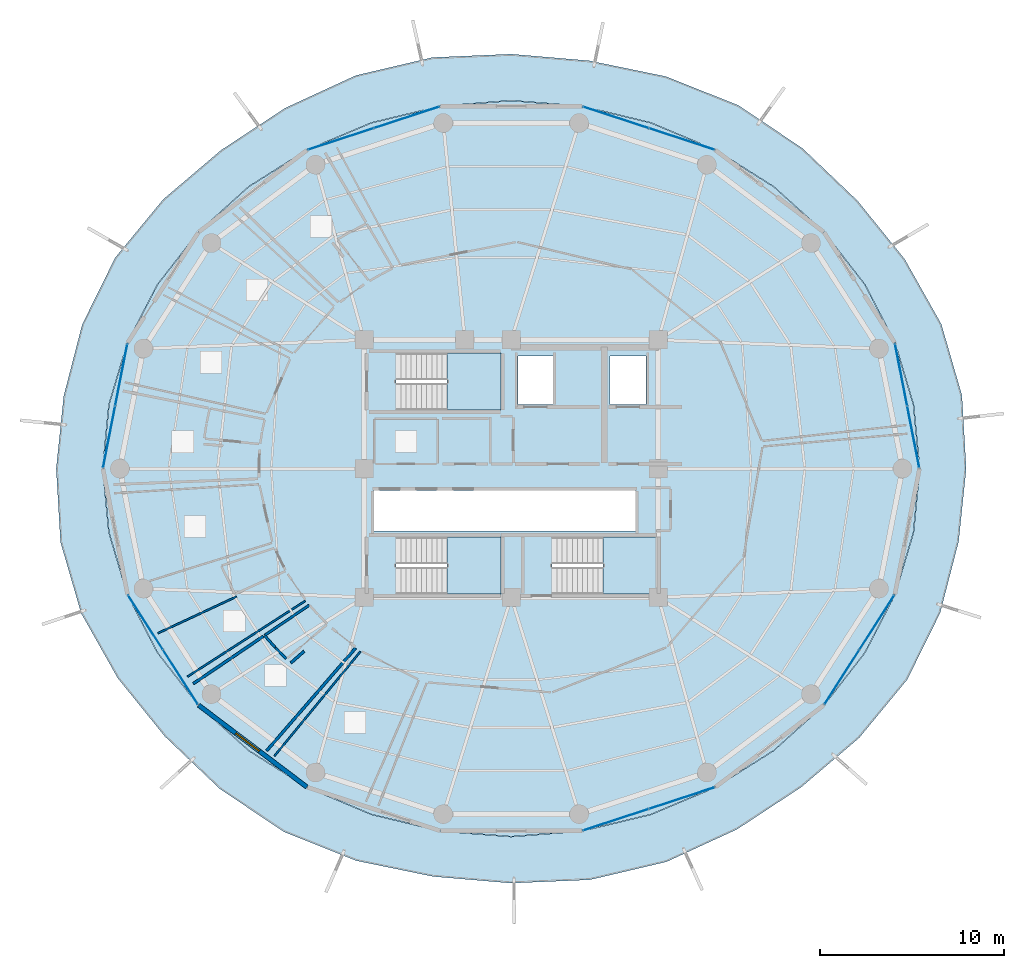
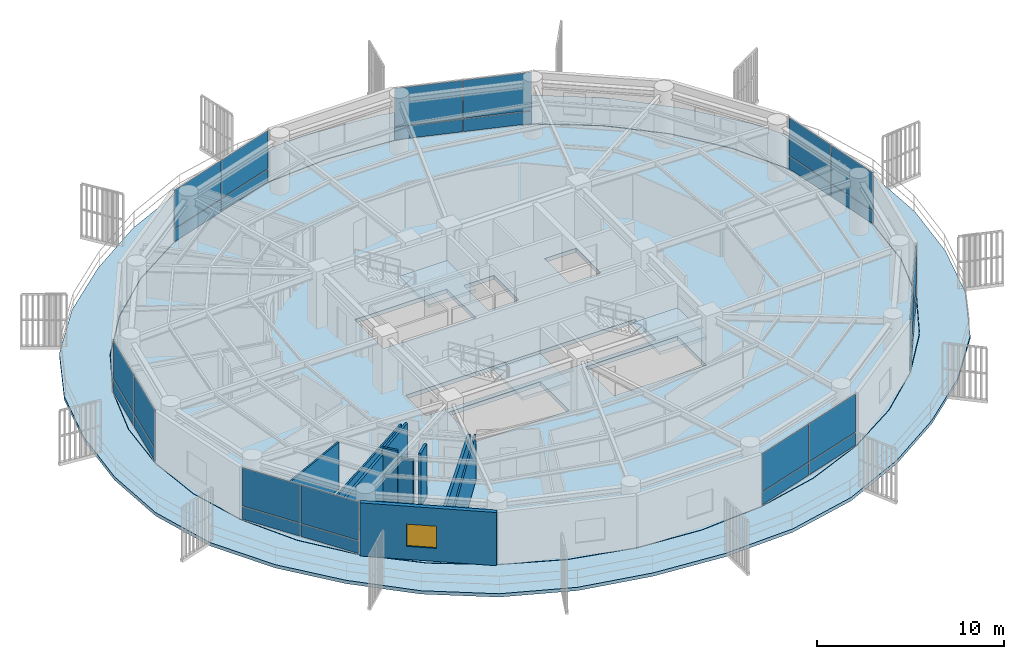
# One storey, part 23 of 31: 28 plates, 10 walls, 5 slabs, 1 window, 1 opening, 10 elements without a shape of their own.
"""IFC4 building model written with IfcOpenShell, lengths in metres."""

from ifc_helpers import new_model, si_unit, direction, frame, frame_2d, origin, origin_2d, place, context, subcontext, project, spatial, polyline, rectangle, outline, extrude, source, transform, mapped, material, layer, layer_set, type_object, element, fill, aggregate, save


model = new_model("IFC4")

# Units and contexts
model_context = context("Model", 3, precision=1e-05, world=origin(), true_north=direction((0.0, 1.0)))
body_context = subcontext(model_context, "Body", "Model", "MODEL_VIEW")
ifc_project = project(units=[si_unit("LENGTHUNIT", "METRE"), si_unit("AREAUNIT", "SQUARE_METRE"), si_unit("VOLUMEUNIT", "CUBIC_METRE"), si_unit("PLANEANGLEUNIT", "RADIAN"), si_unit("MASSUNIT", "GRAM", prefix="KILO")], contexts=[model_context])

# Site, building, storey
site_placement = place(None, origin())
site = spatial("IfcSite", under=ifc_project, at=site_placement, CompositionType="ELEMENT")
building_placement = place(site_placement, origin())
building = spatial("IfcBuilding", under=site, at=building_placement, Name="Kelanora Arch Commons", CompositionType="ELEMENT")
storey_placement = place(building_placement, frame((0.0, 0.0, 230.699951171875)))
storey = spatial("IfcBuildingStorey", under=building, at=storey_placement, Name="L59", CompositionType="ELEMENT", Elevation=230.699951171875)

# Stair, slab
ifc_material_1 = material(Name="Concrete C40/50", Category="concrete")
stair_type = type_object("IfcStairType", Name="STR-DL-375", PredefinedType="HALF_TURN_STAIR", material=ifc_material_1)
stair_1_placement = place(storey_placement, origin())
stair_1 = element("IfcStair", 1, at=stair_1_placement, inside=storey, type_object=stair_type, Name="L59 ST-T1", PredefinedType="HALF_TURN_STAIR")
ifc_layer_1 = layer(ifc_material_1, 0.199951171875)
ifc_layer_set_1 = layer_set([ifc_layer_1], Name="Concrete C40/50")
slab_type_1 = type_object("IfcSlabType", Name="SLB-STAIR-LND", PredefinedType="LANDING", material=ifc_layer_set_1)
slab_1_placement = place(storey_placement, frame((0.0, 0.0, 1.675048828125)))
slab_1 = element("IfcSlab", 2, at=slab_1_placement, type_object=slab_type_1, Name="ST-T1 landing 1", PredefinedType="LANDING", context=body_context, shape_type="SweptSolid", body=[
    extrude(outline(polyline([(70.52001953125, 61.179931640625), (73.43994140625, 61.179931640625), (73.43994140625, 64.2900390625), (70.52001953125, 64.2900390625), (70.52001953125, 61.179931640625)])), origin(), (0.0, 0.0, 1.0), 0.199951171875),
])
aggregate(stair_1, [slab_1])

stair_2_placement = place(storey_placement, origin())
stair_2 = element("IfcStair", 3, at=stair_2_placement, inside=storey, type_object=stair_type, Name="L59 ST-T2", PredefinedType="HALF_TURN_STAIR")
slab_2_placement = place(storey_placement, frame((0.0, 0.0, 1.675048828125)))
slab_2 = element("IfcSlab", 4, at=slab_2_placement, type_object=slab_type_1, Name="ST-T2 landing 1", PredefinedType="LANDING", context=body_context, shape_type="SweptSolid", body=[
    extrude(outline(polyline([(79.0, 51.179931640625), (81.919921875, 51.179931640625), (81.919921875, 54.2900390625), (79.0, 54.2900390625), (79.0, 51.179931640625)])), origin(), (0.0, 0.0, 1.0), 0.199951171875),
])
aggregate(stair_2, [slab_2])

stair_3_placement = place(storey_placement, origin())
stair_3 = element("IfcStair", 5, at=stair_3_placement, inside=storey, type_object=stair_type, Name="L59 ST-T3", PredefinedType="HALF_TURN_STAIR")
slab_3_placement = place(storey_placement, frame((0.0, 0.0, 1.675048828125)))
slab_3 = element("IfcSlab", 6, at=slab_3_placement, type_object=slab_type_1, Name="ST-T3 landing 1", PredefinedType="LANDING", context=body_context, shape_type="SweptSolid", body=[
    extrude(outline(polyline([(70.52001953125, 51.179931640625), (73.43994140625, 51.179931640625), (73.43994140625, 54.2900390625), (70.52001953125, 54.2900390625), (70.52001953125, 51.179931640625)])), origin(), (0.0, 0.0, 1.0), 0.199951171875),
])
aggregate(stair_3, [slab_3])

# Slabs
ifc_layer_2 = layer(ifc_material_1, 0.260009765625)
ifc_layer_set_2 = layer_set([ifc_layer_2], Name="Concrete C40/50")
slab_type_2 = type_object("IfcSlabType", Name="SLB-TWR-TYP", PredefinedType="FLOOR", material=ifc_layer_set_2)
slab_4_placement = place(storey_placement, frame((0.0, 0.0, -0.260009765625)))
element("IfcSlab", 7, at=slab_4_placement, inside=storey, type_object=slab_type_2, Name="Tower Floor Slab L59", PredefinedType="FLOOR", context=body_context, shape_type="SweptSolid", body=[
    extrude(outline(polyline([(96.199951171875, 58.0), (95.86279296875, 61.472900390625), (94.861083984375, 64.84033203125), (93.225830078125, 68.0), (91.006103515625, 70.855712890625), (88.27001953125, 73.32080078125), (85.10009765625, 75.320556640625), (81.5927734375, 76.7939453125), (77.85498046875, 77.6962890625), (74.0, 78.0), (70.14501953125, 77.6962890625), (66.4072265625, 76.7939453125), (62.89990234375, 75.320556640625), (59.72998046875, 73.32080078125), (56.993896484375, 70.855712890625), (54.774169921875, 68.0), (53.138916015625, 64.84033203125), (52.13720703125, 61.472900390625), (51.800048828125, 58.0), (52.13720703125, 54.527099609375), (53.138916015625, 51.15966796875), (54.774169921875, 48.0), (56.993896484375, 45.144287109375), (59.72998046875, 42.67919921875), (62.89990234375, 40.679443359375), (66.4072265625, 39.2060546875), (70.14501953125, 38.3037109375), (74.0, 38.0), (77.85498046875, 38.3037109375), (81.5927734375, 39.2060546875), (85.10009765625, 40.679443359375), (88.27001953125, 42.67919921875), (91.006103515625, 45.144287109375), (93.225830078125, 48.0), (94.861083984375, 51.15966796875), (95.86279296875, 54.527099609375), (96.199951171875, 58.0)]), holes=[polyline([(73.431884765625, 51.18798828125), (67.72802734375, 51.18798828125), (67.72802734375, 54.281982421875), (73.431884765625, 54.281982421875), (73.431884765625, 51.18798828125)]), polyline([(76.2080078125, 51.18798828125), (76.2080078125, 54.281982421875), (81.912109375, 54.281982421875), (81.912109375, 51.18798828125), (76.2080078125, 51.18798828125)]), polyline([(66.550048828125, 54.60009765625), (66.550048828125, 56.800048828125), (80.75, 56.800048828125), (80.75, 54.60009765625), (66.550048828125, 54.60009765625)]), polyline([(73.431884765625, 61.18798828125), (67.72802734375, 61.18798828125), (67.72802734375, 64.281982421875), (73.431884765625, 64.281982421875), (73.431884765625, 61.18798828125)]), polyline([(74.3798828125, 61.47998046875), (74.3798828125, 64.1201171875), (76.260009765625, 64.1201171875), (76.260009765625, 61.47998046875), (74.3798828125, 61.47998046875)]), polyline([(79.3798828125, 61.47998046875), (79.3798828125, 64.1201171875), (81.320068359375, 64.1201171875), (81.320068359375, 61.47998046875), (79.3798828125, 61.47998046875)])]), origin(), (0.0, 0.0, 1.0), 0.260009765625),
])
ifc_layer_3 = layer(ifc_material_1, 0.219970703125)
ifc_layer_set_3 = layer_set([ifc_layer_3], Name="Concrete C40/50")
slab_type_3 = type_object("IfcSlabType", Name="SLB-WAVE-BAL", PredefinedType="FLOOR", material=ifc_layer_set_3)
slab_5_placement = place(storey_placement, frame((0.0, 0.0, -0.219970703125)))
element("IfcSlab", 8, at=slab_5_placement, inside=storey, type_object=slab_type_3, Name="Sinusoidal Wave Balcony Slab L59", PredefinedType="FLOOR", context=body_context, shape_type="SweptSolid", body=[
    extrude(outline(polyline([(98.73974609375, 58.0), (98.506591796875, 61.990478515625), (97.3837890625, 65.859619140625), (95.39453125, 69.389892578125), (92.834716796875, 72.558837890625), (89.847900390625, 75.408447265625), (86.362060546875, 77.7470703125), (82.4208984375, 79.319580078125), (78.249267578125, 80.177978515625), (74.0, 80.539794921875), (69.722412109375, 80.35693359375), (65.559326171875, 79.37939453125), (61.71142578125, 77.605712890625), (58.223388671875, 75.314208984375), (55.078857421875, 72.639404296875), (52.471435546875, 69.475830078125), (50.67431640625, 65.836181640625), (49.671142578125, 61.955810546875), (49.26025390625, 58.0), (49.493408203125, 54.009521484375), (50.6162109375, 50.140380859375), (52.60546875, 46.610107421875), (55.165283203125, 43.441162109375), (58.152099609375, 40.591552734375), (61.637939453125, 38.2529296875), (65.5791015625, 36.680419921875), (69.750732421875, 35.822021484375), (74.0, 35.460205078125), (78.277587890625, 35.64306640625), (82.440673828125, 36.62060546875), (86.28857421875, 38.394287109375), (89.776611328125, 40.685791015625), (92.921142578125, 43.360595703125), (95.528564453125, 46.524169921875), (97.32568359375, 50.163818359375), (98.328857421875, 54.044189453125), (98.73974609375, 58.0)]), holes=[polyline([(95.88232421875, 54.523681640625), (94.8798828125, 51.15283203125), (93.2431640625, 47.989990234375), (91.021484375, 45.13134765625), (88.28271484375, 42.663818359375), (85.110107421875, 40.662109375), (81.599609375, 39.1875), (77.8583984375, 38.2841796875), (74.0, 37.97998046875), (70.1416015625, 38.2841796875), (66.400390625, 39.1875), (62.889892578125, 40.662109375), (59.71728515625, 42.663818359375), (56.978515625, 45.13134765625), (54.7568359375, 47.989990234375), (53.1201171875, 51.15283203125), (52.11767578125, 54.523681640625), (51.780029296875, 58.0), (52.11767578125, 61.476318359375), (53.1201171875, 64.84716796875), (54.7568359375, 68.010009765625), (56.978515625, 70.86865234375), (59.71728515625, 73.336181640625), (62.889892578125, 75.337890625), (66.400390625, 76.8125), (70.1416015625, 77.7158203125), (74.0, 78.02001953125), (77.8583984375, 77.7158203125), (81.599609375, 76.8125), (85.110107421875, 75.337890625), (88.28271484375, 73.336181640625), (91.021484375, 70.86865234375), (93.2431640625, 68.010009765625), (94.8798828125, 64.84716796875), (95.88232421875, 61.476318359375), (96.219970703125, 58.0), (95.88232421875, 54.523681640625)])]), origin(), (0.0, 0.0, 1.0), 0.219970703125),
])

# Curtain wall, plates
ifc_material_2 = material(Name="Terracotta ceramic-fritted low-E glass and aluminium", Category="masonry")
ifc_layer_4 = layer(ifc_material_2, 0.175048828125)
ifc_layer_set_4 = layer_set([ifc_layer_4], Name="Terracotta ceramic-fritted low-E glass and aluminium")
curtain_wall_type = type_object("IfcCurtainWallType", Name="CW-SYS-02", PredefinedType="NOTDEFINED", material=ifc_layer_set_4)
curtain_wall_1_placement = place(storey_placement, origin())
curtain_wall_1 = element("IfcCurtainWall", 9, at=curtain_wall_1_placement, inside=storey, type_object=curtain_wall_type, Name="Unitised Curtain Wall L59-B00", PredefinedType="NOTDEFINED")
ifc_material_3 = material(Name="Terracotta ceramic-fritted double glazing", Category="masonry")
ifc_layer_5 = layer(ifc_material_3, 0.028076171875)
ifc_layer_set_5 = layer_set([ifc_layer_5], Name="Terracotta ceramic-fritted double glazing")
plate_type = type_object("IfcPlateType", Name="CWP-FRIT", PredefinedType="CURTAIN_PANEL", material=ifc_layer_set_5)
shared_shape_1 = source(origin(), body_context, "Body", "SweptSolid", [
    extrude(rectangle(XDim=3.380126953125, YDim=0.028076171875, at=origin_2d()), origin(), (0.0, 0.0, 1.0), 0.81005859375),
])
plate_1_placement = place(storey_placement, frame((95.861083984375, 59.732177734375, 0.06005859375), z_axis=(0.0, 0.0, 1.0), x_axis=(-0.192068926335, 0.981381438349, 0.0)))
plate_1 = element("IfcPlate", 10, at=plate_1_placement, type_object=plate_type, Name="CW-02 panel 1.1", PredefinedType="CURTAIN_PANEL", context=body_context, shape_type="MappedRepresentation", body=[
    mapped(shared_shape_1, transform((0.0, 0.0, 0.0), scale=1.0)),
])
plate_2_placement = place(storey_placement, frame((95.2001953125, 63.108154296875, 0.06005859375), z_axis=(0.0, 0.0, 1.0), x_axis=(-0.192068926335, 0.981381438349, 0.0)))
plate_2 = element("IfcPlate", 11, at=plate_2_placement, type_object=plate_type, Name="CW-02 panel 2.1", PredefinedType="CURTAIN_PANEL", context=body_context, shape_type="MappedRepresentation", body=[
    mapped(shared_shape_1, transform((0.0, 0.0, 0.0), scale=1.0)),
])

curtain_wall_2_placement = place(storey_placement, origin())
curtain_wall_2 = element("IfcCurtainWall", 12, at=curtain_wall_2_placement, inside=storey, type_object=curtain_wall_type, Name="Unitised Curtain Wall L59-B08", PredefinedType="NOTDEFINED")
plate_3_placement = place(storey_placement, frame((52.7998046875, 63.108154296875, 0.06005859375), z_axis=(0.0, 0.0, 1.0), x_axis=(-0.192068926335, -0.981381438349, 0.0)))
plate_3 = element("IfcPlate", 13, at=plate_3_placement, type_object=plate_type, Name="CW-02 panel 1.1", PredefinedType="CURTAIN_PANEL", context=body_context, shape_type="MappedRepresentation", body=[
    mapped(shared_shape_1, transform((0.0, 0.0, 0.0), scale=1.0)),
])
plate_4_placement = place(storey_placement, frame((52.138916015625, 59.732177734375, 0.06005859375), z_axis=(0.0, 0.0, 1.0), x_axis=(-0.192068926335, -0.981381438349, 0.0)))
plate_4 = element("IfcPlate", 14, at=plate_4_placement, type_object=plate_type, Name="CW-02 panel 2.1", PredefinedType="CURTAIN_PANEL", context=body_context, shape_type="MappedRepresentation", body=[
    mapped(shared_shape_1, transform((0.0, 0.0, 0.0), scale=1.0)),
])

# Plate
shared_shape_2 = source(origin(), body_context, "Body", "SweptSolid", [
    extrude(rectangle(XDim=3.380126953125, YDim=0.028076171875, at=origin_2d()), origin(), (0.0, 0.0, 1.0), 2.485107421875),
])
plate_5_placement = place(storey_placement, frame((95.861083984375, 59.732177734375, 0.93017578125), z_axis=(0.0, 0.0, 1.0), x_axis=(-0.192068926335, 0.981381438349, 0.0)))
plate_5 = element("IfcPlate", 15, at=plate_5_placement, type_object=plate_type, Name="CW-02 panel 1.2", PredefinedType="CURTAIN_PANEL", context=body_context, shape_type="MappedRepresentation", body=[
    mapped(shared_shape_2, transform((0.0, 0.0, 0.0), scale=1.0)),
])

plate_6_placement = place(storey_placement, frame((95.2001953125, 63.108154296875, 0.93017578125), z_axis=(0.0, 0.0, 1.0), x_axis=(-0.192068926335, 0.981381438349, 0.0)))
plate_6 = element("IfcPlate", 16, at=plate_6_placement, type_object=plate_type, Name="CW-02 panel 2.2", PredefinedType="CURTAIN_PANEL", context=body_context, shape_type="MappedRepresentation", body=[
    mapped(shared_shape_2, transform((0.0, 0.0, 0.0), scale=1.0)),
])

aggregate(curtain_wall_1, [plate_1, plate_5, plate_2, plate_6])

plate_7_placement = place(storey_placement, frame((52.7998046875, 63.108154296875, 0.93017578125), z_axis=(0.0, 0.0, 1.0), x_axis=(-0.192068926335, -0.981381438349, 0.0)))
plate_7 = element("IfcPlate", 17, at=plate_7_placement, type_object=plate_type, Name="CW-02 panel 1.2", PredefinedType="CURTAIN_PANEL", context=body_context, shape_type="MappedRepresentation", body=[
    mapped(shared_shape_2, transform((0.0, 0.0, 0.0), scale=1.0)),
])

plate_8_placement = place(storey_placement, frame((52.138916015625, 59.732177734375, 0.93017578125), z_axis=(0.0, 0.0, 1.0), x_axis=(-0.192068926335, -0.981381438349, 0.0)))
plate_8 = element("IfcPlate", 18, at=plate_8_placement, type_object=plate_type, Name="CW-02 panel 2.2", PredefinedType="CURTAIN_PANEL", context=body_context, shape_type="MappedRepresentation", body=[
    mapped(shared_shape_2, transform((0.0, 0.0, 0.0), scale=1.0)),
])

aggregate(curtain_wall_2, [plate_3, plate_7, plate_4, plate_8])

# Curtain wall, plates
curtain_wall_3_placement = place(storey_placement, origin())
curtain_wall_3 = element("IfcCurtainWall", 19, at=curtain_wall_3_placement, inside=storey, type_object=curtain_wall_type, Name="Unitised Curtain Wall L59-B03", PredefinedType="NOTDEFINED")
shared_shape_3 = source(origin(), body_context, "Body", "SweptSolid", [
    extrude(rectangle(XDim=3.707275390625, YDim=0.028076171875, at=origin_2d()), origin(), (0.0, 0.0, 1.0), 0.81005859375),
])
plate_9_placement = place(storey_placement, frame((83.267333984375, 75.92138671875, 0.06005859375), z_axis=(0.0, 0.0, 1.0), x_axis=(-0.950219124029, 0.311582439059, 0.0)))
plate_9 = element("IfcPlate", 20, at=plate_9_placement, type_object=plate_type, Name="CW-02 panel 1.1", PredefinedType="CURTAIN_PANEL", context=body_context, shape_type="MappedRepresentation", body=[
    mapped(shared_shape_3, transform((0.0, 0.0, 0.0), scale=1.0)),
])
plate_10_placement = place(storey_placement, frame((79.687744140625, 77.09521484375, 0.06005859375), z_axis=(0.0, 0.0, 1.0), x_axis=(-0.950219124029, 0.311582439059, 0.0)))
plate_10 = element("IfcPlate", 21, at=plate_10_placement, type_object=plate_type, Name="CW-02 panel 2.1", PredefinedType="CURTAIN_PANEL", context=body_context, shape_type="MappedRepresentation", body=[
    mapped(shared_shape_3, transform((0.0, 0.0, 0.0), scale=1.0)),
])

curtain_wall_4_placement = place(storey_placement, origin())
curtain_wall_4 = element("IfcCurtainWall", 22, at=curtain_wall_4_placement, inside=storey, type_object=curtain_wall_type, Name="Unitised Curtain Wall L59-B05", PredefinedType="NOTDEFINED")
plate_11_placement = place(storey_placement, frame((68.312255859375, 77.09521484375, 0.06005859375), z_axis=(0.0, 0.0, 1.0), x_axis=(-0.950219124029, -0.311582439059, 0.0)))
plate_11 = element("IfcPlate", 23, at=plate_11_placement, type_object=plate_type, Name="CW-02 panel 1.1", PredefinedType="CURTAIN_PANEL", context=body_context, shape_type="MappedRepresentation", body=[
    mapped(shared_shape_3, transform((0.0, 0.0, 0.0), scale=1.0)),
])
plate_12_placement = place(storey_placement, frame((64.732666015625, 75.92138671875, 0.06005859375), z_axis=(0.0, 0.0, 1.0), x_axis=(-0.950219124029, -0.311582439059, 0.0)))
plate_12 = element("IfcPlate", 24, at=plate_12_placement, type_object=plate_type, Name="CW-02 panel 2.1", PredefinedType="CURTAIN_PANEL", context=body_context, shape_type="MappedRepresentation", body=[
    mapped(shared_shape_3, transform((0.0, 0.0, 0.0), scale=1.0)),
])

curtain_wall_5_placement = place(storey_placement, origin())
curtain_wall_5 = element("IfcCurtainWall", 25, at=curtain_wall_5_placement, inside=storey, type_object=curtain_wall_type, Name="Unitised Curtain Wall L59-B14", PredefinedType="NOTDEFINED")
plate_13_placement = place(storey_placement, frame((79.687744140625, 38.90478515625, 0.06005859375), z_axis=(0.0, 0.0, 1.0), x_axis=(0.950219124029, 0.311582439059, 0.0)))
plate_13 = element("IfcPlate", 26, at=plate_13_placement, type_object=plate_type, Name="CW-02 panel 1.1", PredefinedType="CURTAIN_PANEL", context=body_context, shape_type="MappedRepresentation", body=[
    mapped(shared_shape_3, transform((0.0, 0.0, 0.0), scale=1.0)),
])
plate_14_placement = place(storey_placement, frame((83.267333984375, 40.07861328125, 0.06005859375), z_axis=(0.0, 0.0, 1.0), x_axis=(0.950219124029, 0.311582439059, 0.0)))
plate_14 = element("IfcPlate", 27, at=plate_14_placement, type_object=plate_type, Name="CW-02 panel 2.1", PredefinedType="CURTAIN_PANEL", context=body_context, shape_type="MappedRepresentation", body=[
    mapped(shared_shape_3, transform((0.0, 0.0, 0.0), scale=1.0)),
])

# Plate
shared_shape_4 = source(origin(), body_context, "Body", "SweptSolid", [
    extrude(rectangle(XDim=3.707275390625, YDim=0.028076171875, at=origin_2d()), origin(), (0.0, 0.0, 1.0), 2.485107421875),
])
plate_15_placement = place(storey_placement, frame((83.267333984375, 75.92138671875, 0.93017578125), z_axis=(0.0, 0.0, 1.0), x_axis=(-0.950219124029, 0.311582439059, 0.0)))
plate_15 = element("IfcPlate", 28, at=plate_15_placement, type_object=plate_type, Name="CW-02 panel 1.2", PredefinedType="CURTAIN_PANEL", context=body_context, shape_type="MappedRepresentation", body=[
    mapped(shared_shape_4, transform((0.0, 0.0, 0.0), scale=1.0)),
])

plate_16_placement = place(storey_placement, frame((79.687744140625, 77.09521484375, 0.93017578125), z_axis=(0.0, 0.0, 1.0), x_axis=(-0.950219124029, 0.311582439059, 0.0)))
plate_16 = element("IfcPlate", 29, at=plate_16_placement, type_object=plate_type, Name="CW-02 panel 2.2", PredefinedType="CURTAIN_PANEL", context=body_context, shape_type="MappedRepresentation", body=[
    mapped(shared_shape_4, transform((0.0, 0.0, 0.0), scale=1.0)),
])

aggregate(curtain_wall_3, [plate_9, plate_15, plate_10, plate_16])

plate_17_placement = place(storey_placement, frame((68.312255859375, 77.09521484375, 0.93017578125), z_axis=(0.0, 0.0, 1.0), x_axis=(-0.950219124029, -0.311582439059, 0.0)))
plate_17 = element("IfcPlate", 30, at=plate_17_placement, type_object=plate_type, Name="CW-02 panel 1.2", PredefinedType="CURTAIN_PANEL", context=body_context, shape_type="MappedRepresentation", body=[
    mapped(shared_shape_4, transform((0.0, 0.0, 0.0), scale=1.0)),
])

plate_18_placement = place(storey_placement, frame((64.732666015625, 75.92138671875, 0.93017578125), z_axis=(0.0, 0.0, 1.0), x_axis=(-0.950219124029, -0.311582439059, 0.0)))
plate_18 = element("IfcPlate", 31, at=plate_18_placement, type_object=plate_type, Name="CW-02 panel 2.2", PredefinedType="CURTAIN_PANEL", context=body_context, shape_type="MappedRepresentation", body=[
    mapped(shared_shape_4, transform((0.0, 0.0, 0.0), scale=1.0)),
])

aggregate(curtain_wall_4, [plate_11, plate_17, plate_12, plate_18])

plate_19_placement = place(storey_placement, frame((79.687744140625, 38.90478515625, 0.93017578125), z_axis=(0.0, 0.0, 1.0), x_axis=(0.950219124029, 0.311582439059, 0.0)))
plate_19 = element("IfcPlate", 32, at=plate_19_placement, type_object=plate_type, Name="CW-02 panel 1.2", PredefinedType="CURTAIN_PANEL", context=body_context, shape_type="MappedRepresentation", body=[
    mapped(shared_shape_4, transform((0.0, 0.0, 0.0), scale=1.0)),
])

plate_20_placement = place(storey_placement, frame((83.267333984375, 40.07861328125, 0.93017578125), z_axis=(0.0, 0.0, 1.0), x_axis=(0.950219124029, 0.311582439059, 0.0)))
plate_20 = element("IfcPlate", 33, at=plate_20_placement, type_object=plate_type, Name="CW-02 panel 2.2", PredefinedType="CURTAIN_PANEL", context=body_context, shape_type="MappedRepresentation", body=[
    mapped(shared_shape_4, transform((0.0, 0.0, 0.0), scale=1.0)),
])

aggregate(curtain_wall_5, [plate_13, plate_19, plate_14, plate_20])

# Curtain wall, plates
curtain_wall_6_placement = place(storey_placement, origin())
curtain_wall_6 = element("IfcCurtainWall", 34, at=curtain_wall_6_placement, inside=storey, type_object=curtain_wall_type, Name="Unitised Curtain Wall L59-B10", PredefinedType="NOTDEFINED")
shared_shape_5 = source(origin(), body_context, "Body", "SweptSolid", [
    extrude(rectangle(XDim=3.46728515625, YDim=0.028076171875, at=origin_2d()), origin(), (0.0, 0.0, 1.0), 0.81005859375),
])
plate_21_placement = place(storey_placement, frame((54.11474609375, 49.63671875, 0.06005859375), z_axis=(0.0, 0.0, 1.0), x_axis=(0.539559338994, -0.84194757539, 0.0)))
plate_21 = element("IfcPlate", 35, at=plate_21_placement, type_object=plate_type, Name="CW-02 panel 1.1", PredefinedType="CURTAIN_PANEL", context=body_context, shape_type="MappedRepresentation", body=[
    mapped(shared_shape_5, transform((0.0, 0.0, 0.0), scale=1.0)),
])
plate_22_placement = place(storey_placement, frame((56.017822265625, 46.6669921875, 0.06005859375), z_axis=(0.0, 0.0, 1.0), x_axis=(0.539559338994, -0.84194757539, 0.0)))
plate_22 = element("IfcPlate", 36, at=plate_22_placement, type_object=plate_type, Name="CW-02 panel 2.1", PredefinedType="CURTAIN_PANEL", context=body_context, shape_type="MappedRepresentation", body=[
    mapped(shared_shape_5, transform((0.0, 0.0, 0.0), scale=1.0)),
])

curtain_wall_7_placement = place(storey_placement, origin())
curtain_wall_7 = element("IfcCurtainWall", 37, at=curtain_wall_7_placement, inside=storey, type_object=curtain_wall_type, Name="Unitised Curtain Wall L59-B16", PredefinedType="NOTDEFINED")
plate_23_placement = place(storey_placement, frame((91.982177734375, 46.6669921875, 0.06005859375), z_axis=(0.0, 0.0, 1.0), x_axis=(0.539559338994, 0.84194757539, 0.0)))
plate_23 = element("IfcPlate", 38, at=plate_23_placement, type_object=plate_type, Name="CW-02 panel 1.1", PredefinedType="CURTAIN_PANEL", context=body_context, shape_type="MappedRepresentation", body=[
    mapped(shared_shape_5, transform((0.0, 0.0, 0.0), scale=1.0)),
])
plate_24_placement = place(storey_placement, frame((93.88525390625, 49.63671875, 0.06005859375), z_axis=(0.0, 0.0, 1.0), x_axis=(0.539559338994, 0.84194757539, 0.0)))
plate_24 = element("IfcPlate", 39, at=plate_24_placement, type_object=plate_type, Name="CW-02 panel 2.1", PredefinedType="CURTAIN_PANEL", context=body_context, shape_type="MappedRepresentation", body=[
    mapped(shared_shape_5, transform((0.0, 0.0, 0.0), scale=1.0)),
])

# Plate
shared_shape_6 = source(origin(), body_context, "Body", "SweptSolid", [
    extrude(rectangle(XDim=3.46728515625, YDim=0.028076171875, at=origin_2d()), origin(), (0.0, 0.0, 1.0), 2.485107421875),
])
plate_25_placement = place(storey_placement, frame((54.11474609375, 49.63671875, 0.93017578125), z_axis=(0.0, 0.0, 1.0), x_axis=(0.539559338994, -0.84194757539, 0.0)))
plate_25 = element("IfcPlate", 40, at=plate_25_placement, type_object=plate_type, Name="CW-02 panel 1.2", PredefinedType="CURTAIN_PANEL", context=body_context, shape_type="MappedRepresentation", body=[
    mapped(shared_shape_6, transform((0.0, 0.0, 0.0), scale=1.0)),
])

plate_26_placement = place(storey_placement, frame((56.017822265625, 46.6669921875, 0.93017578125), z_axis=(0.0, 0.0, 1.0), x_axis=(0.539559338994, -0.84194757539, 0.0)))
plate_26 = element("IfcPlate", 41, at=plate_26_placement, type_object=plate_type, Name="CW-02 panel 2.2", PredefinedType="CURTAIN_PANEL", context=body_context, shape_type="MappedRepresentation", body=[
    mapped(shared_shape_6, transform((0.0, 0.0, 0.0), scale=1.0)),
])

aggregate(curtain_wall_6, [plate_21, plate_25, plate_22, plate_26])

plate_27_placement = place(storey_placement, frame((91.982177734375, 46.6669921875, 0.93017578125), z_axis=(0.0, 0.0, 1.0), x_axis=(0.539559338994, 0.84194757539, 0.0)))
plate_27 = element("IfcPlate", 42, at=plate_27_placement, type_object=plate_type, Name="CW-02 panel 1.2", PredefinedType="CURTAIN_PANEL", context=body_context, shape_type="MappedRepresentation", body=[
    mapped(shared_shape_6, transform((0.0, 0.0, 0.0), scale=1.0)),
])

plate_28_placement = place(storey_placement, frame((93.88525390625, 49.63671875, 0.93017578125), z_axis=(0.0, 0.0, 1.0), x_axis=(0.539559338994, 0.84194757539, 0.0)))
plate_28 = element("IfcPlate", 43, at=plate_28_placement, type_object=plate_type, Name="CW-02 panel 2.2", PredefinedType="CURTAIN_PANEL", context=body_context, shape_type="MappedRepresentation", body=[
    mapped(shared_shape_6, transform((0.0, 0.0, 0.0), scale=1.0)),
])

aggregate(curtain_wall_7, [plate_23, plate_27, plate_24, plate_28])

# Walls
ifc_material_4 = material(Name="Autoclaved aerated concrete blockwork with fire plaster", Category="masonry")
ifc_layer_6 = layer(ifc_material_4, 0.14990234375)
ifc_layer_set_6 = layer_set([ifc_layer_6], Name="Autoclaved aerated concrete blockwork with fire plaster")
wall_type_1 = type_object("IfcWallType", Name="W-COMP-150", PredefinedType="PARTITIONING", material=ifc_layer_set_6)
wall_1_placement = place(storey_placement, frame((65.537841796875, 48.24169921875, 0.0), z_axis=(0.0, 0.0, 1.0), x_axis=(-0.654642167947, -0.755938907549, 0.0)))
element("IfcWall", 44, at=wall_1_placement, inside=storey, type_object=wall_type_1, Name="Co-Living Studio L59-07 Enclosure Partition 2", PredefinedType="PARTITIONING", context=body_context, shape_type="SweptSolid", body=[
    extrude(rectangle(XDim=7.38232421875, YDim=0.14990234375, at=frame_2d((3.691162109375, 0.0))), origin(), (0.0, 0.0, 1.0), 3.025146484375),
])
wall_2_placement = place(storey_placement, frame((56.713134765625, 46.305419921875, 0.0), z_axis=(0.0, 0.0, 1.0), x_axis=(0.828059419786, 0.560640345768, 0.0)))
element("IfcWall", 45, at=wall_2_placement, inside=storey, type_object=wall_type_1, Name="Co-Living Studio L59-07 Enclosure Partition 5", PredefinedType="PARTITIONING", context=body_context, shape_type="SweptSolid", body=[
    extrude(rectangle(XDim=4.5986328125, YDim=0.14990234375, at=frame_2d((2.29931640625, 0.0))), origin(), (0.0, 0.0, 1.0), 3.074951171875),
])
wall_3_placement = place(storey_placement, frame((62.02001953125, 47.4345703125, 0.0), z_axis=(0.0, 0.0, 1.0), x_axis=(0.749645272156, 0.661839834049, 0.0)))
element("IfcWall", 46, at=wall_3_placement, inside=storey, type_object=wall_type_1, Name="Co-Living Studio L59-07 Enclosure Partition 7", PredefinedType="PARTITIONING", context=body_context, shape_type="SweptSolid", body=[
    extrude(rectangle(XDim=0.962158203125, YDim=0.14990234375, at=frame_2d((0.48095703125, 0.0))), origin(), (0.0, 0.0, 1.0), 3.47998046875),
])

# Wall, opening, window
ifc_material_5 = material(Name="Precast concrete C40/50 upper-zone terracotta rainscreen", Category="masonry")
ifc_layer_7 = layer(ifc_material_5, 0.239990234375)
ifc_layer_set_7 = layer_set([ifc_layer_7], Name="Precast concrete C40/50 upper-zone terracotta rainscreen")
wall_type_2 = type_object("IfcWallType", Name="W-EXT-TC2", PredefinedType="SOLIDWALL", material=ifc_layer_set_7)
wall_4_placement = place(storey_placement, frame((57.005859375, 45.13525390625, 0.0), z_axis=(0.0, 0.0, 1.0), x_axis=(0.797701674595, -0.603052268338, 0.0)))
wall_4 = element("IfcWall", 47, at=wall_4_placement, inside=storey, type_object=wall_type_2, Name="Terracotta Exterior Wall L59-B11", PredefinedType="SOLIDWALL", context=body_context, shape_type="SweptSolid", body=[
    extrude(rectangle(XDim=7.373779296875, YDim=0.239990234375, at=frame_2d((3.68701171875, 0.0))), origin(), (0.0, 0.0, 1.0), 3.47509765625),
])
opening_placement = place(wall_4_placement, frame((2.527099609375, 0.0, 0.85009765625)))
opening = element("IfcOpeningElement", 48, at=opening_placement, cuts=wall_4, Name="Opening WN-01", PredefinedType="OPENING", context=body_context, shape_type="SweptSolid", body=[
    extrude(rectangle(XDim=1.60009765625, YDim=1.449951171875, at=frame_2d((0.800048828125, 0.72509765625))), frame((0.0, 0.1298828125, 0.0), z_axis=(0.0, -1.0, 0.0), x_axis=(1.0, 0.0, 0.0)), (0.0, 0.0, 1.0), 0.260009765625),
])
ifc_material_6 = material(Name="Terracotta-anodised aluminium frame with operable low-E glazing", Category="masonry")
window_type = type_object("IfcWindowType", Name="WIN-CL-18", PartitioningType="DOUBLE_PANEL_VERTICAL", PredefinedType="WINDOW", material=ifc_material_6)
window_placement = place(opening_placement, origin())
window = element("IfcWindow", 49, at=window_placement, inside=storey, type_object=window_type, Name="Co-Living Operable Window L59-B11", OverallHeight=1.449951171875, OverallWidth=1.60009765625, PartitioningType="SINGLE_PANEL", PredefinedType="WINDOW", context=body_context, shape_type="SweptSolid", body=[
    extrude(rectangle(XDim=1.60009765625, YDim=1.449951171875, at=frame_2d((0.800048828125, 0.72509765625))), frame((0.0, 0.030029296875, 0.0), z_axis=(0.0, -1.0, 0.0), x_axis=(1.0, 0.0, 0.0)), (0.0, 0.0, 1.0), 0.06005859375),
])
fill(opening, window)

# Walls
ifc_material_7 = material(Name="Lightweight fire-rated acoustic stud partition")
ifc_layer_8 = layer(ifc_material_7, 0.10009765625)
ifc_layer_set_8 = layer_set([ifc_layer_8], Name="Lightweight fire-rated acoustic stud partition")
wall_type_3 = type_object("IfcWallType", Name="W-PART-100", PredefinedType="PARTITIONING", material=ifc_layer_set_8)
wall_5_placement = place(storey_placement, frame((62.79931640625, 50.805419921875, 0.0), z_axis=(0.0, 0.0, 1.0), x_axis=(-0.841021030646, -0.541002426992, 0.0)))
element("IfcWall", 50, at=wall_5_placement, inside=storey, type_object=wall_type_3, Name="Tutorial Study Alcove L59-06 Enclosure Partition 2", PredefinedType="PARTITIONING", context=body_context, shape_type="SweptSolid", body=[
    extrude(rectangle(XDim=7.609375, YDim=0.10009765625, at=frame_2d((3.8046875, 0.0))), origin(), (0.0, 0.0, 1.0), 3.074951171875),
])
wall_6_placement = place(storey_placement, frame((54.790283203125, 49.048828125, 0.0), z_axis=(0.0, 0.0, 1.0), x_axis=(0.906304818196, 0.422624628381, 0.0)))
element("IfcWall", 51, at=wall_6_placement, inside=storey, type_object=wall_type_3, Name="Tutorial Study Alcove L59-06 Enclosure Partition 4", PredefinedType="PARTITIONING", context=body_context, shape_type="SweptSolid", body=[
    extrude(rectangle(XDim=4.71435546875, YDim=0.10009765625, at=frame_2d((2.357177734375, 0.0))), origin(), (0.0, 0.0, 1.0), 3.074951171875),
])
wall_7_placement = place(storey_placement, frame((61.12548828125, 42.373779296875, 0.0), z_axis=(0.0, 0.0, 1.0), x_axis=(0.635558493253, 0.772052719478, 0.0)))
element("IfcWall", 52, at=wall_7_placement, inside=storey, type_object=wall_type_3, Name="Quiet Seminar Study Room L59-08 Enclosure Partition 4", PredefinedType="PARTITIONING", context=body_context, shape_type="SweptSolid", body=[
    extrude(rectangle(XDim=7.36376953125, YDim=0.10009765625, at=frame_2d((3.681884765625, 0.0))), origin(), (0.0, 0.0, 1.0), 3.025146484375),
])
ifc_material_8 = material(Name="Moisture-resistant fire-rated cement-board plumbing wall")
ifc_layer_9 = layer(ifc_material_8, 0.1298828125)
ifc_layer_set_9 = layer_set([ifc_layer_9], Name="Moisture-resistant fire-rated cement-board plumbing wall")
wall_type_4 = type_object("IfcWallType", Name="W-WET-120", PredefinedType="PLUMBINGWALL", material=ifc_layer_set_9)
wall_8_placement = place(storey_placement, frame((61.77099609375, 47.668212890625, 0.0), z_axis=(0.0, 0.0, 1.0), x_axis=(-0.704918740806, 0.709288071844, 0.0)))
element("IfcWall", 53, at=wall_8_placement, inside=storey, type_object=wall_type_4, Name="En-Suite Shower WC L59-07 Enclosure Partition 4", PredefinedType="PLUMBINGWALL", context=body_context, shape_type="SweptSolid", body=[
    extrude(rectangle(XDim=0.838134765625, YDim=0.1298828125, at=frame_2d((0.4189453125, 0.0))), origin(), (0.0, 0.0, 1.0), 3.025146484375),
])
wall_9_placement = place(storey_placement, frame((61.152587890625, 48.2919921875, 0.0), z_axis=(0.0, 0.0, 1.0), x_axis=(-0.663963631636, 0.747764866696, 0.0)))
element("IfcWall", 54, at=wall_9_placement, inside=storey, type_object=wall_type_4, Name="En-Suite Shower WC L59-07 Enclosure Partition 5", PredefinedType="PLUMBINGWALL", context=body_context, shape_type="SweptSolid", body=[
    extrude(rectangle(XDim=0.833251953125, YDim=0.1298828125, at=frame_2d((0.41650390625, 0.0))), origin(), (0.0, 0.0, 1.0), 3.47998046875),
])
wall_10_placement = place(storey_placement, frame((60.6025390625, 48.941162109375, 0.0), z_axis=(0.0, 0.0, 1.0), x_axis=(0.828277690913, 0.560317826538, 0.0)))
element("IfcWall", 55, at=wall_10_placement, inside=storey, type_object=wall_type_4, Name="En-Suite Shower WC L59-07 Enclosure Partition 6", PredefinedType="PLUMBINGWALL", context=body_context, shape_type="SweptSolid", body=[
    extrude(rectangle(XDim=2.911865234375, YDim=0.1298828125, at=frame_2d((1.4560546875, 0.0))), origin(), (0.0, 0.0, 1.0), 3.235107421875),
])

save(model, "model.ifc")
